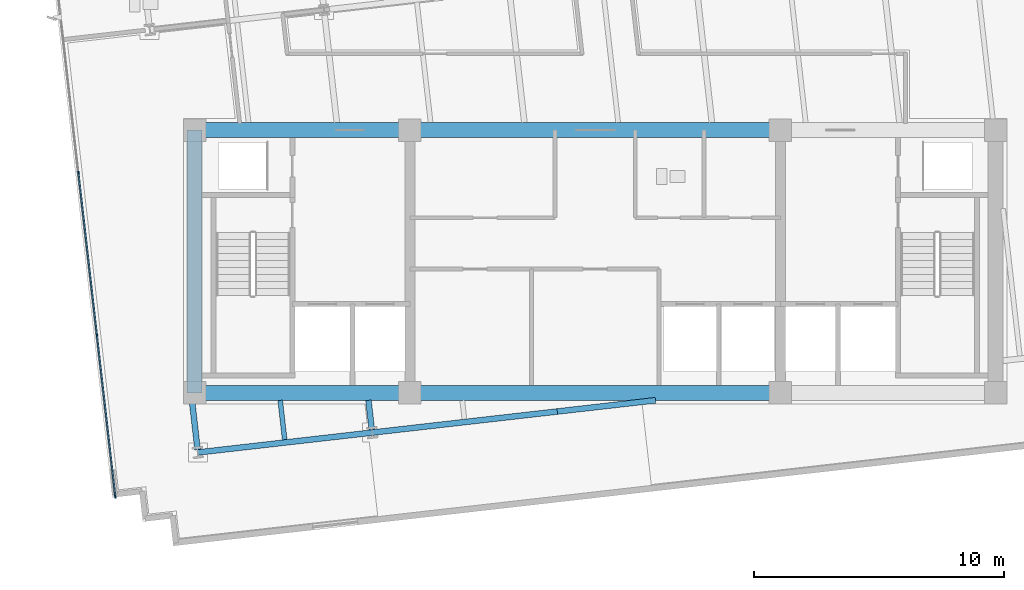
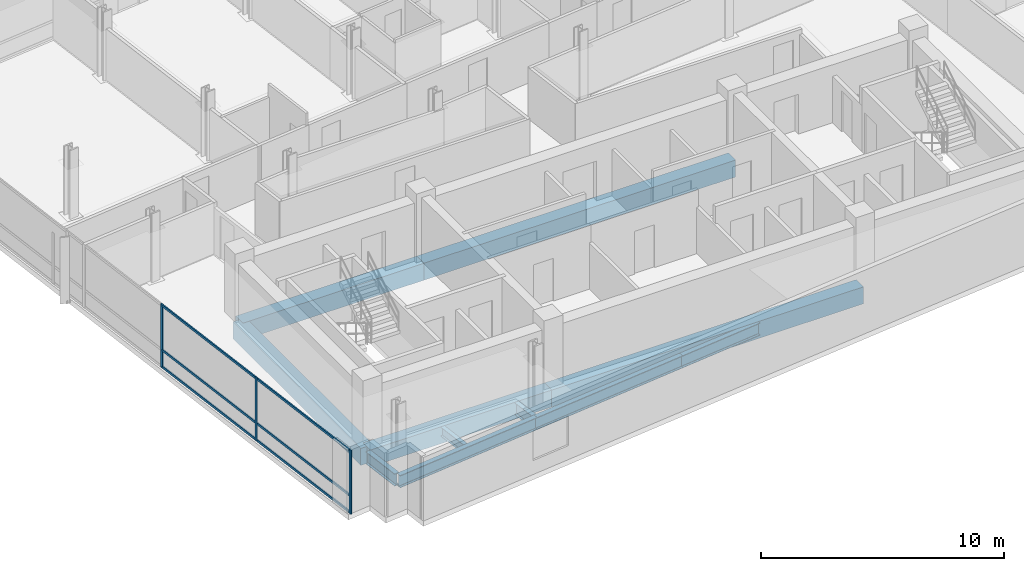
# One storey, part 2 of 16: 11 beams, 9 members, 1 element without a shape of its own.
"""IFC4 building model written with IfcOpenShell, lengths in metres."""

from ifc_helpers import new_model, si_unit, direction, frame, origin, origin_2d, place, context, subcontext, project, spatial, rectangle, i_section, extrude, material, material_profile, profile_set, type_object, element, aggregate, save


model = new_model("IFC4")

# Units and contexts
model_context = context("Model", 3, precision=1e-05, world=origin(), true_north=direction((0.0, 1.0)))
body_context = subcontext(model_context, "Body", "Model", "MODEL_VIEW")
ifc_project = project(units=[si_unit("LENGTHUNIT", "METRE"), si_unit("AREAUNIT", "SQUARE_METRE"), si_unit("VOLUMEUNIT", "CUBIC_METRE"), si_unit("PLANEANGLEUNIT", "RADIAN"), si_unit("MASSUNIT", "GRAM", prefix="KILO")], contexts=[model_context])

# Site, building, storey
site_placement = place(None, origin())
site = spatial("IfcSite", under=ifc_project, at=site_placement, CompositionType="ELEMENT")
building_placement = place(site_placement, origin())
building = spatial("IfcBuilding", under=site, at=building_placement, Name="Solmavex Isthmus Hotel", CompositionType="ELEMENT")
storey_placement = place(building_placement, frame((0.0, 0.0, 215.85009765625)))
storey = spatial("IfcBuildingStorey", under=building, at=storey_placement, Name="L58", CompositionType="ELEMENT", Elevation=215.85009765625)

# Beams
ifc_material_1 = material(Name="Steel ASTM A992 Grade 50", Category="steel")
ifc_material_profile_1 = material_profile(ifc_material_1, i_section(OverallWidth=0.1904296875, OverallDepth=0.456787109375, WebThickness=0.009033203125, FlangeThickness=0.014404296875, FilletRadius=0.0126953125, at=origin_2d()), Name="W18X50")
ifc_profile_set_1 = profile_set([ifc_material_profile_1], Name="Steel ASTM A992 Grade 50")
beam_type_1 = type_object("IfcBeamType", Name="BM-BJ-W18X50", PredefinedType="JOIST", material=ifc_profile_set_1)
beam_1_placement = place(storey_placement, frame((-12.404052734375, -14.872314453125, -0.488525390625), z_axis=(-0.113242002738, 0.993567435465, 0.0), x_axis=(-0.993567435465, -0.113242002738, 0.0)))
element("IfcBeam", 1, at=beam_1_placement, inside=storey, type_object=beam_type_1, Name="Secondary Floor Joist L58-J01", PredefinedType="JOIST", context=body_context, shape_type="SweptSolid", body=[
    extrude(i_section(OverallWidth=0.1904296875, OverallDepth=0.456787109375, WebThickness=0.009033203125, FlangeThickness=0.014404296875, FilletRadius=0.0126953125, at=origin_2d()), origin(), (0.0, 0.0, 1.0), 1.58251953125),
])
ifc_material_profile_2 = material_profile(ifc_material_1, i_section(OverallWidth=0.227783203125, OverallDepth=0.602783203125, WebThickness=0.010498046875, FlangeThickness=0.014892578125, FilletRadius=0.01513671875, at=origin_2d()), Name="W24X68")
ifc_profile_set_2 = profile_set([ifc_material_profile_2], Name="Steel ASTM A992 Grade 50")
beam_type_2 = type_object("IfcBeamType", Name="BM-BM-W24X68", PredefinedType="BEAM", material=ifc_profile_set_2)
beam_2_placement = place(storey_placement, frame((-8.922607421875, -14.4755859375, -0.5615234375), z_axis=(-0.113284703976, 0.993562567655, 0.0), x_axis=(-0.993562567655, -0.113284703976, 0.0)))
element("IfcBeam", 2, at=beam_2_placement, inside=storey, type_object=beam_type_2, Name="Floor Beam L58-VG27", PredefinedType="BEAM", context=body_context, shape_type="SweptSolid", body=[
    extrude(i_section(OverallWidth=0.227783203125, OverallDepth=0.602783203125, WebThickness=0.010498046875, FlangeThickness=0.014892578125, FilletRadius=0.01513671875, at=origin_2d()), origin(), (0.0, 0.0, 1.0), 1.18310546875),
])
ifc_material_2 = material(Name="Concrete C50/60", Category="concrete")
ifc_material_profile_3 = material_profile(ifc_material_2, rectangle(XDim=0.60009765625, YDim=0.85009765625, at=origin_2d()), Name="RC600X850")
ifc_profile_set_3 = profile_set([ifc_material_profile_3], Name="Concrete C50/60")
beam_type_3 = type_object("IfcBeamType", Name="BM-CB-600X850", PredefinedType="BEAM", material=ifc_profile_set_3)
beam_3_placement = place(storey_placement, frame((-16.0, -13.0, -0.68505859375), z_axis=(1.0, 0.0, 0.0), x_axis=(0.0, 1.0, 0.0)))
element("IfcBeam", 3, at=beam_3_placement, inside=storey, type_object=beam_type_3, Name="Core Coupling Beam L58-CB1", PredefinedType="BEAM", context=body_context, shape_type="SweptSolid", body=[
    extrude(rectangle(XDim=0.60009765625, YDim=0.85009765625, at=origin_2d()), origin(), (0.0, 0.0, 1.0), 8.60009765625),
])
beam_4_placement = place(storey_placement, frame((-7.39990234375, -13.0, -0.68505859375), z_axis=(1.0, 0.0, 0.0), x_axis=(0.0, 1.0, 0.0)))
element("IfcBeam", 4, at=beam_4_placement, inside=storey, type_object=beam_type_3, Name="Core Coupling Beam L58-CB2", PredefinedType="BEAM", context=body_context, shape_type="SweptSolid", body=[
    extrude(rectangle(XDim=0.60009765625, YDim=0.85009765625, at=origin_2d()), origin(), (0.0, 0.0, 1.0), 14.7998046875),
])
beam_5_placement = place(storey_placement, frame((-16.0, -2.5, -0.68505859375), z_axis=(1.0, 0.0, 0.0), x_axis=(0.0, 1.0, 0.0)))
element("IfcBeam", 5, at=beam_5_placement, inside=storey, type_object=beam_type_3, Name="Core Coupling Beam L58-CB4", PredefinedType="BEAM", context=body_context, shape_type="SweptSolid", body=[
    extrude(rectangle(XDim=0.60009765625, YDim=0.85009765625, at=origin_2d()), origin(), (0.0, 0.0, 1.0), 8.60009765625),
])
beam_6_placement = place(storey_placement, frame((-7.39990234375, -2.5, -0.68505859375), z_axis=(1.0, 0.0, 0.0), x_axis=(0.0, 1.0, 0.0)))
element("IfcBeam", 6, at=beam_6_placement, inside=storey, type_object=beam_type_3, Name="Core Coupling Beam L58-CB5", PredefinedType="BEAM", context=body_context, shape_type="SweptSolid", body=[
    extrude(rectangle(XDim=0.60009765625, YDim=0.85009765625, at=origin_2d()), origin(), (0.0, 0.0, 1.0), 14.7998046875),
])
beam_7_placement = place(storey_placement, frame((-16.0, -13.0, -0.68505859375), z_axis=(0.0, 1.0, 0.0), x_axis=(-1.0, 0.0, 0.0)))
element("IfcBeam", 7, at=beam_7_placement, inside=storey, type_object=beam_type_3, Name="Core Coupling Beam L58-CB7", PredefinedType="BEAM", context=body_context, shape_type="SweptSolid", body=[
    extrude(rectangle(XDim=0.60009765625, YDim=0.85009765625, at=origin_2d()), origin(), (0.0, 0.0, 1.0), 10.5),
])
ifc_material_profile_4 = material_profile(ifc_material_1, i_section(OverallWidth=0.230224609375, OverallDepth=0.617431640625, WebThickness=0.01318359375, FlangeThickness=0.022216796875, FilletRadius=0.01513671875, at=origin_2d()), Name="W24X94")
ifc_profile_set_4 = profile_set([ifc_material_profile_4], Name="Steel ASTM A992 Grade 50")
beam_type_4 = type_object("IfcBeamType", Name="BM-SP-W24X94", PredefinedType="SPANDREL", material=ifc_profile_set_4)
beam_8_placement = place(storey_placement, frame((-15.87255859375, -15.38330078125, -0.56884765625), z_axis=(0.993574039862, 0.113184041777, 0.0), x_axis=(-0.113184041777, 0.993574039862, 0.0)))
element("IfcBeam", 8, at=beam_8_placement, inside=storey, type_object=beam_type_4, Name="Floor Girder L58-UG01", PredefinedType="SPANDREL", context=body_context, shape_type="SweptSolid", body=[
    extrude(i_section(OverallWidth=0.230224609375, OverallDepth=0.617431640625, WebThickness=0.01318359375, FlangeThickness=0.022216796875, FilletRadius=0.01513671875, at=origin_2d()), origin(), (0.0, 0.0, 1.0), 7.008056640625),
])
beam_9_placement = place(storey_placement, frame((-8.909423828125, -14.590087890625, -0.56884765625), z_axis=(0.993569926006, 0.113220148984, 0.0), x_axis=(-0.113220148984, 0.993569926006, 0.0)))
element("IfcBeam", 9, at=beam_9_placement, inside=storey, type_object=beam_type_4, Name="Floor Girder L58-UG02", PredefinedType="SPANDREL", context=body_context, shape_type="SweptSolid", body=[
    extrude(i_section(OverallWidth=0.230224609375, OverallDepth=0.617431640625, WebThickness=0.01318359375, FlangeThickness=0.022216796875, FilletRadius=0.01513671875, at=origin_2d()), origin(), (0.0, 0.0, 1.0), 7.44580078125),
])
beam_10_placement = place(storey_placement, frame((-1.511474609375, -13.7470703125, -0.56884765625), z_axis=(0.993575434773, 0.113171796023, 0.0), x_axis=(-0.113171796023, 0.993575434773, 0.0)))
element("IfcBeam", 10, at=beam_10_placement, inside=storey, type_object=beam_type_4, Name="Floor Girder L58-UG03", PredefinedType="SPANDREL", context=body_context, shape_type="SweptSolid", body=[
    extrude(i_section(OverallWidth=0.230224609375, OverallDepth=0.617431640625, WebThickness=0.01318359375, FlangeThickness=0.022216796875, FilletRadius=0.01513671875, at=origin_2d()), origin(), (0.0, 0.0, 1.0), 3.949951171875),
])
beam_11_placement = place(storey_placement, frame((-15.885498046875, -15.268798828125, -0.56884765625), z_axis=(-0.113230368519, 0.993568761408, 0.0), x_axis=(-0.993568761408, -0.113230368519, 0.0)))
element("IfcBeam", 11, at=beam_11_placement, inside=storey, type_object=beam_type_4, Name="Floor Beam L58-VG24", PredefinedType="SPANDREL", context=body_context, shape_type="SweptSolid", body=[
    extrude(i_section(OverallWidth=0.230224609375, OverallDepth=0.617431640625, WebThickness=0.01318359375, FlangeThickness=0.022216796875, FilletRadius=0.01513671875, at=origin_2d()), origin(), (0.0, 0.0, 1.0), 1.9814453125),
])

# Curtain wall, members
ifc_material_3 = material(Name="Aluminium alloy 6063-T6", Category="aluminium")
curtain_wall_type = type_object("IfcCurtainWallType", Name="CW-SYS-06", PredefinedType="NOTDEFINED", material=ifc_material_3)
curtain_wall_placement = place(storey_placement, origin())
curtain_wall = element("IfcCurtainWall", 12, at=curtain_wall_placement, inside=storey, type_object=curtain_wall_type, Name="Stick Curtain Wall CWL-L58-W1", PredefinedType="NOTDEFINED")
ifc_material_profile_5 = material_profile(ifc_material_3, rectangle(XDim=0.06005859375, YDim=0.139892578125, at=origin_2d()), Name="CWM-60X140")
ifc_profile_set_5 = profile_set([ifc_material_profile_5], Name="Aluminium alloy 6063-T6")
member_type_1 = type_object("IfcMemberType", Name="CW-SYS-06-MUL", PredefinedType="MULLION", material=ifc_profile_set_5)
member_1_placement = place(storey_placement, frame((-19.175048828125, -17.138427734375, 0.0), z_axis=(0.0, 0.0, 1.0), x_axis=(-0.993571836648, -0.11320338078, 0.0)))
member_1 = element("IfcMember", 13, at=member_1_placement, type_object=member_type_1, Name="CW-06 mullion 1", PredefinedType="MULLION", context=body_context, shape_type="SweptSolid", body=[
    extrude(rectangle(XDim=0.06005859375, YDim=0.139892578125, at=origin_2d()), origin(), (0.0, 0.0, 1.0), 3.18994140625),
])
member_2_placement = place(storey_placement, frame((-19.90966796875, -10.690185546875, 0.0), z_axis=(0.0, 0.0, 1.0), x_axis=(-0.993571836648, -0.11320338078, 0.0)))
member_2 = element("IfcMember", 14, at=member_2_placement, type_object=member_type_1, Name="CW-06 mullion 2", PredefinedType="MULLION", context=body_context, shape_type="SweptSolid", body=[
    extrude(rectangle(XDim=0.06005859375, YDim=0.139892578125, at=origin_2d()), origin(), (0.0, 0.0, 1.0), 3.18994140625),
])
member_3_placement = place(storey_placement, frame((-20.647705078125, -4.212158203125, 0.0), z_axis=(0.0, 0.0, 1.0), x_axis=(-0.993571836648, -0.11320338078, 0.0)))
member_3 = element("IfcMember", 15, at=member_3_placement, type_object=member_type_1, Name="CW-06 mullion 3", PredefinedType="MULLION", context=body_context, shape_type="SweptSolid", body=[
    extrude(rectangle(XDim=0.06005859375, YDim=0.139892578125, at=origin_2d()), origin(), (0.0, 0.0, 1.0), 3.18994140625),
])
ifc_material_profile_6 = material_profile(ifc_material_3, rectangle(XDim=0.06005859375, YDim=0.114990234375, at=origin_2d()), Name="CWT-60X115")
ifc_profile_set_6 = profile_set([ifc_material_profile_6], Name="Aluminium alloy 6063-T6")
member_type_2 = type_object("IfcMemberType", Name="CW-SYS-06-TRN", PredefinedType="USERDEFINED", material=ifc_profile_set_6)
member_4_placement = place(storey_placement, frame((-19.178466796875, -17.108642578125, 0.057373046875), z_axis=(-0.113185709511, 0.993573849879, 0.0), x_axis=(-0.993573849879, -0.113185709511, 0.0)))
member_4 = element("IfcMember", 16, at=member_4_placement, type_object=member_type_2, Name="CW-06 transom 1.1", ObjectType="TRANSOM", PredefinedType="USERDEFINED", context=body_context, shape_type="SweptSolid", body=[
    extrude(rectangle(XDim=0.06005859375, YDim=0.114990234375, at=origin_2d()), origin(), (0.0, 0.0, 1.0), 6.429931640625),
])
member_5_placement = place(storey_placement, frame((-19.178466796875, -17.108642578125, 0.89990234375), z_axis=(-0.113185709511, 0.993573849879, 0.0), x_axis=(-0.993573849879, -0.113185709511, 0.0)))
member_5 = element("IfcMember", 17, at=member_5_placement, type_object=member_type_2, Name="CW-06 transom 1.2", ObjectType="TRANSOM", PredefinedType="USERDEFINED", context=body_context, shape_type="SweptSolid", body=[
    extrude(rectangle(XDim=0.06005859375, YDim=0.114990234375, at=origin_2d()), origin(), (0.0, 0.0, 1.0), 6.429931640625),
])
member_6_placement = place(storey_placement, frame((-19.178466796875, -17.108642578125, 3.13232421875), z_axis=(-0.113185709511, 0.993573849879, 0.0), x_axis=(-0.993573849879, -0.113185709511, 0.0)))
member_6 = element("IfcMember", 18, at=member_6_placement, type_object=member_type_2, Name="CW-06 transom 1.3", ObjectType="TRANSOM", PredefinedType="USERDEFINED", context=body_context, shape_type="SweptSolid", body=[
    extrude(rectangle(XDim=0.06005859375, YDim=0.114990234375, at=origin_2d()), origin(), (0.0, 0.0, 1.0), 6.429931640625),
])
member_7_placement = place(storey_placement, frame((-19.9130859375, -10.660400390625, 0.057373046875), z_axis=(-0.113226824616, 0.993569165276, 0.0), x_axis=(-0.993569165276, -0.113226824616, 0.0)))
member_7 = element("IfcMember", 19, at=member_7_placement, type_object=member_type_2, Name="CW-06 transom 2.1", ObjectType="TRANSOM", PredefinedType="USERDEFINED", context=body_context, shape_type="SweptSolid", body=[
    extrude(rectangle(XDim=0.06005859375, YDim=0.114990234375, at=origin_2d()), origin(), (0.0, 0.0, 1.0), 6.4599609375),
])
member_8_placement = place(storey_placement, frame((-19.9130859375, -10.660400390625, 0.89990234375), z_axis=(-0.113226824616, 0.993569165276, 0.0), x_axis=(-0.993569165276, -0.113226824616, 0.0)))
member_8 = element("IfcMember", 20, at=member_8_placement, type_object=member_type_2, Name="CW-06 transom 2.2", ObjectType="TRANSOM", PredefinedType="USERDEFINED", context=body_context, shape_type="SweptSolid", body=[
    extrude(rectangle(XDim=0.06005859375, YDim=0.114990234375, at=origin_2d()), origin(), (0.0, 0.0, 1.0), 6.4599609375),
])
member_9_placement = place(storey_placement, frame((-19.9130859375, -10.660400390625, 3.13232421875), z_axis=(-0.113226824616, 0.993569165276, 0.0), x_axis=(-0.993569165276, -0.113226824616, 0.0)))
member_9 = element("IfcMember", 21, at=member_9_placement, type_object=member_type_2, Name="CW-06 transom 2.3", ObjectType="TRANSOM", PredefinedType="USERDEFINED", context=body_context, shape_type="SweptSolid", body=[
    extrude(rectangle(XDim=0.06005859375, YDim=0.114990234375, at=origin_2d()), origin(), (0.0, 0.0, 1.0), 6.4599609375),
])
aggregate(curtain_wall, [member_1, member_2, member_3, member_4, member_5, member_6, member_7, member_8, member_9])

save(model, "model.ifc")
